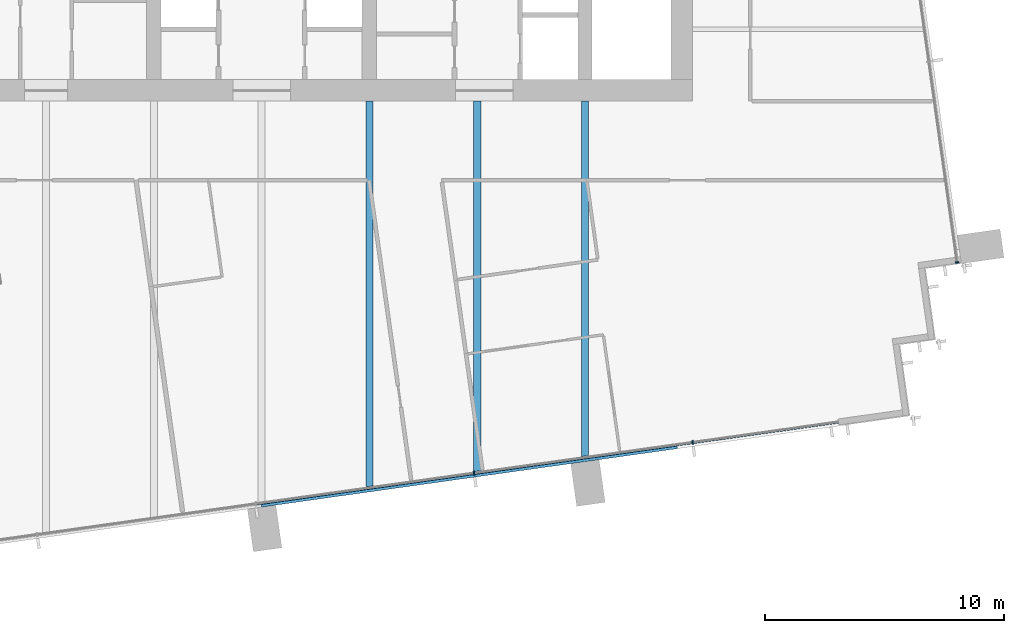
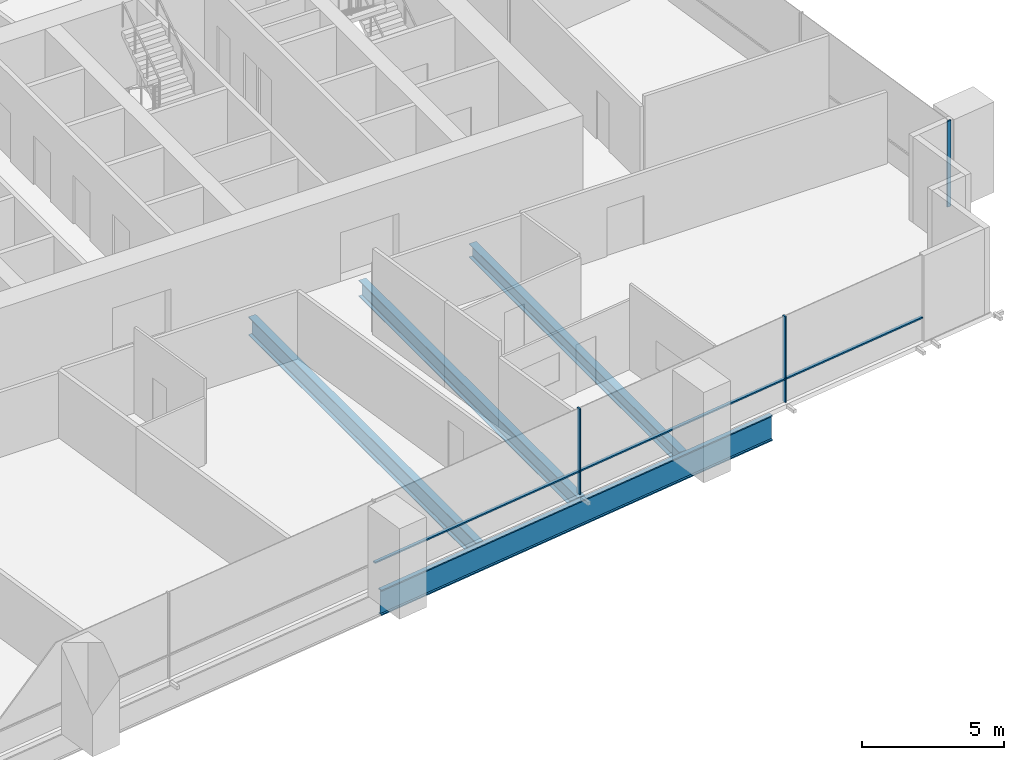
# One storey, part 4 of 14: 6 members, 4 beams, 2 elements without a shape of their own.
"""IFC4 building model written with IfcOpenShell, lengths in metres."""

from ifc_helpers import new_model, si_unit, direction, frame, origin, origin_2d, place, context, subcontext, project, spatial, rectangle, i_section, extrude, material, material_profile, profile_set, type_object, element, aggregate, save


model = new_model("IFC4")

# Units and contexts
model_context = context("Model", 3, precision=1e-05, world=origin(), true_north=direction((0.0, 1.0)))
body_context = subcontext(model_context, "Body", "Model", "MODEL_VIEW")
ifc_project = project(units=[si_unit("LENGTHUNIT", "METRE"), si_unit("AREAUNIT", "SQUARE_METRE"), si_unit("VOLUMEUNIT", "CUBIC_METRE"), si_unit("PLANEANGLEUNIT", "RADIAN"), si_unit("MASSUNIT", "GRAM", prefix="KILO")], contexts=[model_context])

# Site, building, storey
site_placement = place(None, origin())
site = spatial("IfcSite", under=ifc_project, at=site_placement, CompositionType="ELEMENT")
building_placement = place(site_placement, origin())
building = spatial("IfcBuilding", under=site, at=building_placement, Name="Rattan Terrace Tower", CompositionType="ELEMENT")
storey_placement = place(building_placement, frame((0.0, 0.0, 195.800048828125)))
storey = spatial("IfcBuildingStorey", under=building, at=storey_placement, Name="L45", CompositionType="ELEMENT", Elevation=195.800048828125)

# Curtain wall, member
ifc_material_1 = material(Name="Aluminium and glass", Category="aluminium")
curtain_wall_type = type_object("IfcCurtainWallType", Name="Facade Unitised Curtain Wall", PredefinedType="NOTDEFINED", material=ifc_material_1)
curtain_wall_1_placement = place(storey_placement, origin())
curtain_wall_1 = element("IfcCurtainWall", 1, at=curtain_wall_1_placement, inside=storey, type_object=curtain_wall_type, Name="Curtain wall L45-1", PredefinedType="NOTDEFINED")
ifc_material_2 = material(Name="Aluminium", Category="aluminium")
ifc_material_profile_1 = material_profile(ifc_material_2, rectangle(XDim=0.06005859375, YDim=0.159912109375, at=origin_2d()), Name="Aluminium 60x160")
ifc_profile_set_1 = profile_set([ifc_material_profile_1], Name="Aluminium")
member_type_1 = type_object("IfcMemberType", Name="Facade CW Mullion 60x160", PredefinedType="MULLION", material=ifc_profile_set_1)
member_1_placement = place(storey_placement, frame((29.037109375, -14.2333984375, 0.0), z_axis=(0.0, 0.0, 1.0), x_axis=(-0.139190856006, 0.99026557327, 0.0)))
member_1 = element("IfcMember", 2, at=member_1_placement, type_object=member_type_1, Name="Mullion cwl-L45-001.1", PredefinedType="MULLION", context=body_context, shape_type="SweptSolid", body=[
    extrude(rectangle(XDim=0.06005859375, YDim=0.159912109375, at=origin_2d()), origin(), (0.0, 0.0, 1.0), 3.699951171875),
])
aggregate(curtain_wall_1, [member_1])

# Curtain wall, members
curtain_wall_2_placement = place(storey_placement, origin())
curtain_wall_2 = element("IfcCurtainWall", 3, at=curtain_wall_2_placement, inside=storey, type_object=curtain_wall_type, Name="Curtain wall L45-4", PredefinedType="NOTDEFINED")
member_2_placement = place(storey_placement, frame((8.873291015625, -23.0302734375, 0.0), z_axis=(0.0, 0.0, 1.0), x_axis=(0.990269702686, 0.139161474347, 0.0)))
member_2 = element("IfcMember", 4, at=member_2_placement, type_object=member_type_1, Name="Mullion cwl-L45-004.4", PredefinedType="MULLION", context=body_context, shape_type="SweptSolid", body=[
    extrude(rectangle(XDim=0.06005859375, YDim=0.159912109375, at=origin_2d()), origin(), (0.0, 0.0, 1.0), 3.699951171875),
])
member_3_placement = place(storey_placement, frame((17.996826171875, -21.748291015625, 0.0), z_axis=(0.0, 0.0, 1.0), x_axis=(0.990269702686, 0.139161474347, 0.0)))
member_3 = element("IfcMember", 5, at=member_3_placement, type_object=member_type_1, Name="Mullion cwl-L45-004.5", PredefinedType="MULLION", context=body_context, shape_type="SweptSolid", body=[
    extrude(rectangle(XDim=0.06005859375, YDim=0.159912109375, at=origin_2d()), origin(), (0.0, 0.0, 1.0), 3.699951171875),
])
ifc_material_3 = material(Name="Aluminium", Category="aluminium")
ifc_material_profile_2 = material_profile(ifc_material_3, rectangle(XDim=0.1201171875, YDim=0.06005859375, at=origin_2d()), Name="Aluminium 120x60")
ifc_profile_set_2 = profile_set([ifc_material_profile_2], Name="Aluminium")
member_type_2 = type_object("IfcMemberType", Name="Facade CW Transom 120x60", PredefinedType="USERDEFINED", material=ifc_profile_set_2)
member_4_placement = place(storey_placement, frame((-0.22021484375, -24.308349609375, 1.0), z_axis=(0.990267035849, 0.139180450171, 0.0), x_axis=(-0.139180450171, 0.990267035849, 0.0)))
member_4 = element("IfcMember", 6, at=member_4_placement, type_object=member_type_2, Name="Transom cwl-L45-004.3", ObjectType="TRANSOM", PredefinedType="USERDEFINED", context=body_context, shape_type="SweptSolid", body=[
    extrude(rectangle(XDim=0.1201171875, YDim=0.06005859375, at=origin_2d()), origin(), (0.0, 0.0, 1.0), 9.153076171875),
])
member_5_placement = place(storey_placement, frame((8.903076171875, -23.026123046875, 1.0), z_axis=(0.990270711765, 0.139154293575, 0.0), x_axis=(-0.139154293575, 0.990270711765, 0.0)))
member_5 = element("IfcMember", 7, at=member_5_placement, type_object=member_type_2, Name="Transom cwl-L45-004.4", ObjectType="TRANSOM", PredefinedType="USERDEFINED", context=body_context, shape_type="SweptSolid", body=[
    extrude(rectangle(XDim=0.1201171875, YDim=0.06005859375, at=origin_2d()), origin(), (0.0, 0.0, 1.0), 9.153076171875),
])
member_6_placement = place(storey_placement, frame((18.0263671875, -21.744140625, 1.0), z_axis=(0.990267752185, 0.139175353357, 0.0), x_axis=(-0.139175353357, 0.990267752185, 0.0)))
member_6 = element("IfcMember", 8, at=member_6_placement, type_object=member_type_2, Name="Transom cwl-L45-004.5", ObjectType="TRANSOM", PredefinedType="USERDEFINED", context=body_context, shape_type="SweptSolid", body=[
    extrude(rectangle(XDim=0.1201171875, YDim=0.06005859375, at=origin_2d()), origin(), (0.0, 0.0, 1.0), 6.11865234375),
])
aggregate(curtain_wall_2, [member_2, member_3, member_4, member_5, member_6])

# Beams
ifc_material_4 = material(Name="Steel S460", Category="steel")
ifc_material_profile_3 = material_profile(ifc_material_4, i_section(OverallWidth=0.179931640625, OverallDepth=1.10009765625, WebThickness=0.01611328125, FlangeThickness=0.050048828125, at=origin_2d()), Name="PG 1100x180-16-50")
ifc_profile_set_3 = profile_set([ifc_material_profile_3], Name="Steel S460")
beam_type_1 = type_object("IfcBeamType", Name="Frame edge girder PG 1100x180-16-50", PredefinedType="SPANDREL", material=ifc_profile_set_3)
beam_1_placement = place(storey_placement, frame((17.347900390625, -21.9208984375, -0.75), z_axis=(-0.990273554652, -0.139134061096, 0.0), x_axis=(0.139134061096, -0.990273554652, 0.0)))
element("IfcBeam", 9, at=beam_1_placement, inside=storey, type_object=beam_type_1, Name="gdr-L45-002", PredefinedType="SPANDREL", context=body_context, shape_type="SweptSolid", body=[
    extrude(i_section(OverallWidth=0.179931640625, OverallDepth=1.10009765625, WebThickness=0.01611328125, FlangeThickness=0.050048828125, at=origin_2d()), origin(), (0.0, 0.0, 1.0), 17.53125),
])
ifc_material_5 = material(Name="Steel S355", Category="steel")
ifc_material_profile_4 = material_profile(ifc_material_5, i_section(OverallWidth=0.300048828125, OverallDepth=0.60009765625, WebThickness=0.015380859375, FlangeThickness=0.030029296875, FilletRadius=0.027099609375, at=origin_2d()), Name="HE 600 B")
ifc_profile_set_4 = profile_set([ifc_material_profile_4], Name="Steel S355")
beam_type_2 = type_object("IfcBeamType", Name="Frame floor beam HE 600 B", PredefinedType="JOIST", material=ifc_profile_set_4)
beam_2_placement = place(storey_placement, frame((13.5, -22.35009765625, -0.5), z_axis=(0.0, 1.0, 0.0), x_axis=(-1.0, 0.0, 0.0)))
element("IfcBeam", 10, at=beam_2_placement, inside=storey, type_object=beam_type_2, Name="bm-L45-009", PredefinedType="JOIST", context=body_context, shape_type="SweptSolid", body=[
    extrude(i_section(OverallWidth=0.300048828125, OverallDepth=0.60009765625, WebThickness=0.015380859375, FlangeThickness=0.030029296875, FilletRadius=0.027099609375, at=origin_2d()), origin(), (0.0, 0.0, 1.0), 14.85009765625),
])
ifc_material_6 = material(Name="Steel S355", Category="steel")
ifc_material_profile_5 = material_profile(ifc_material_6, i_section(OverallWidth=0.300048828125, OverallDepth=0.699951171875, WebThickness=0.01708984375, FlangeThickness=0.031982421875, FilletRadius=0.027099609375, at=origin_2d()), Name="HE 700 B")
ifc_profile_set_5 = profile_set([ifc_material_profile_5], Name="Steel S355")
beam_type_3 = type_object("IfcBeamType", Name="Frame floor beam HE 700 B", PredefinedType="JOIST", material=ifc_profile_set_5)
beam_3_placement = place(storey_placement, frame((9.0, -22.98193359375, -0.550048828125), z_axis=(0.0, 1.0, 0.0), x_axis=(-1.0, 0.0, 0.0)))
element("IfcBeam", 11, at=beam_3_placement, inside=storey, type_object=beam_type_3, Name="bm-L45-008", PredefinedType="JOIST", context=body_context, shape_type="SweptSolid", body=[
    extrude(i_section(OverallWidth=0.300048828125, OverallDepth=0.699951171875, WebThickness=0.01708984375, FlangeThickness=0.031982421875, FilletRadius=0.027099609375, at=origin_2d()), origin(), (0.0, 0.0, 1.0), 15.48193359375),
])
ifc_material_7 = material(Name="Steel S355", Category="steel")
ifc_material_profile_6 = material_profile(ifc_material_7, i_section(OverallWidth=0.300048828125, OverallDepth=0.800048828125, WebThickness=0.017578125, FlangeThickness=0.032958984375, FilletRadius=0.030029296875, at=origin_2d()), Name="HE 800 B")
ifc_profile_set_6 = profile_set([ifc_material_profile_6], Name="Steel S355")
beam_type_4 = type_object("IfcBeamType", Name="Frame floor beam HE 800 B", PredefinedType="JOIST", material=ifc_profile_set_6)
beam_4_placement = place(storey_placement, frame((4.5, -23.614013671875, -0.60009765625), z_axis=(0.0, 1.0, 0.0), x_axis=(-1.0, 0.0, 0.0)))
element("IfcBeam", 12, at=beam_4_placement, inside=storey, type_object=beam_type_4, Name="bm-L45-007", PredefinedType="JOIST", context=body_context, shape_type="SweptSolid", body=[
    extrude(i_section(OverallWidth=0.300048828125, OverallDepth=0.800048828125, WebThickness=0.017578125, FlangeThickness=0.032958984375, FilletRadius=0.030029296875, at=origin_2d()), origin(), (0.0, 0.0, 1.0), 16.114013671875),
])

save(model, "model.ifc")
